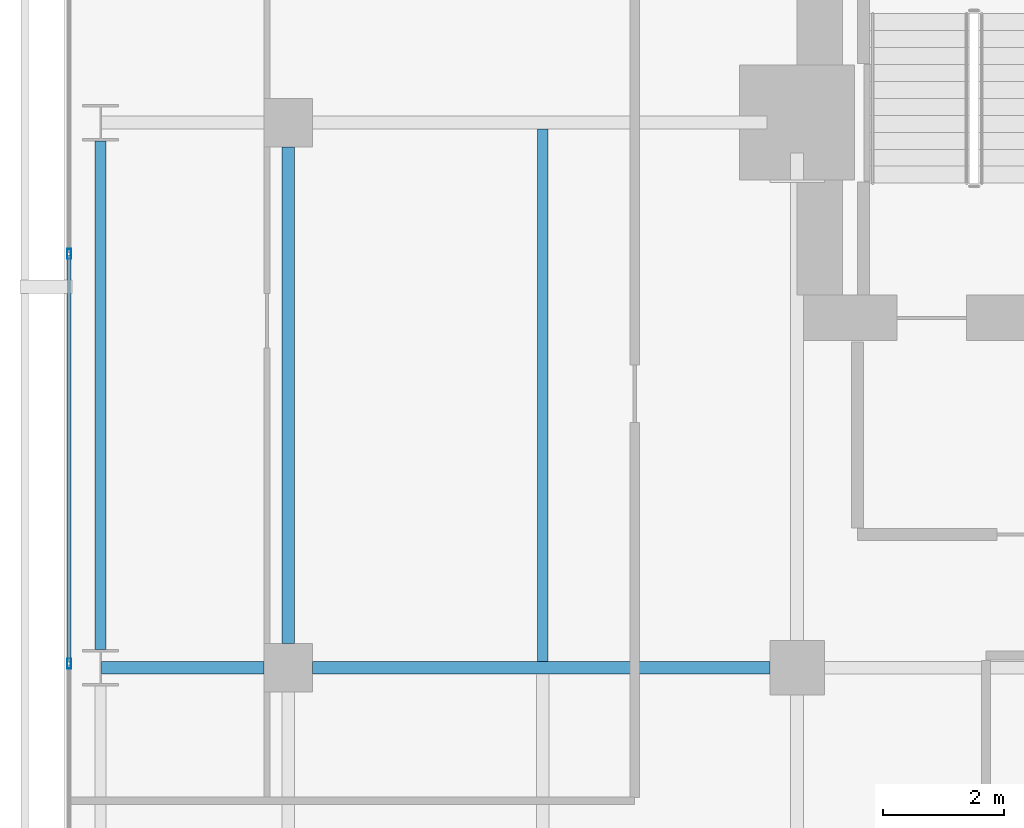
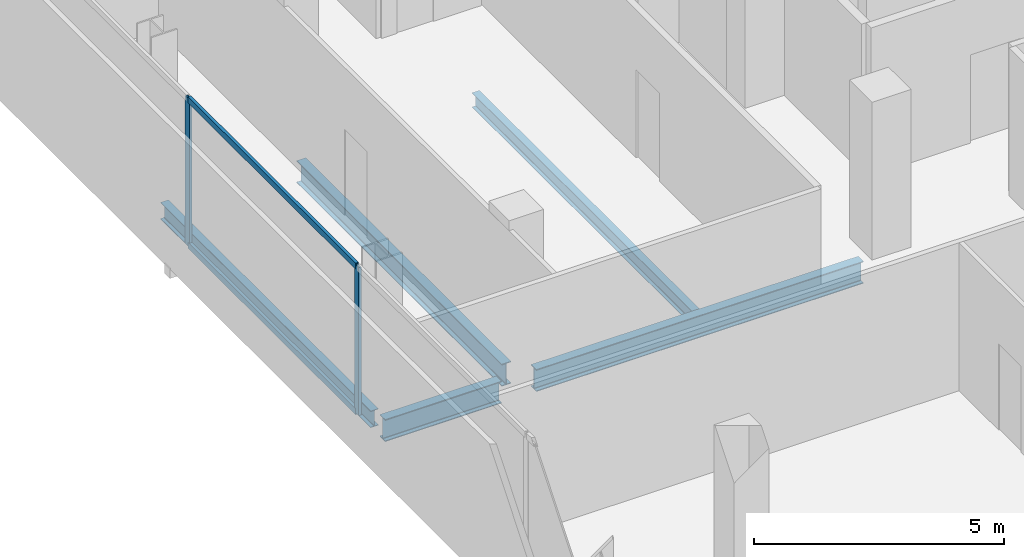
# One storey, part 18 of 33: 5 beams, 4 members, 1 element without a shape of its own.
"""IFC4 building model written with IfcOpenShell, lengths in metres."""

from ifc_helpers import new_model, si_unit, direction, frame, origin, origin_2d, place, context, subcontext, project, spatial, hollow_rectangle, i_section, extrude, material, layer, layer_set, material_profile, profile_set, type_object, element, aggregate, save


model = new_model("IFC4")

# Units and contexts
model_context = context("Model", 3, precision=1e-05, world=origin(), true_north=direction((0.0, 1.0)))
body_context = subcontext(model_context, "Body", "Model", "MODEL_VIEW")
ifc_project = project(units=[si_unit("LENGTHUNIT", "METRE"), si_unit("AREAUNIT", "SQUARE_METRE"), si_unit("VOLUMEUNIT", "CUBIC_METRE"), si_unit("PLANEANGLEUNIT", "RADIAN"), si_unit("MASSUNIT", "GRAM", prefix="KILO")], contexts=[model_context])

# Site, building, storey
site_placement = place(None, origin())
site = spatial("IfcSite", under=ifc_project, at=site_placement, CompositionType="ELEMENT")
building_placement = place(site_placement, origin())
building = spatial("IfcBuilding", under=site, at=building_placement, Name="Maruvema Waterfront Hotel and Observation Tower", CompositionType="ELEMENT")
storey_placement = place(building_placement, frame((0.0, 0.0, 196.699951171875)))
storey = spatial("IfcBuildingStorey", under=building, at=storey_placement, Name="L48", CompositionType="ELEMENT", Elevation=196.699951171875)

# Curtain wall, members
ifc_material_1 = material(Name="Anodised bronze aluminium and solar-control low-E IGU", Category="aluminium")
ifc_layer = layer(ifc_material_1, 0.159912109375, Name="Zone 2 Amber Inner Thermal Curtain Wall System CW-03")
ifc_layer_set = layer_set([ifc_layer], Name="Anodised bronze aluminium and solar-control low-E IGU")
curtain_wall_type = type_object("IfcCurtainWallType", Name="Zone 2 Amber Inner Thermal Curtain Wall System CW-03", PredefinedType="USERDEFINED", material=ifc_layer_set)
curtain_wall_placement = place(storey_placement, origin())
curtain_wall = element("IfcCurtainWall", 1, at=curtain_wall_placement, inside=storey, type_object=curtain_wall_type, Name="L48 Curtain Wall CW-L48-W", ObjectType="UNITISED CURTAIN WALL", PredefinedType="USERDEFINED")
ifc_material_2 = material(Name="Anodised architectural bronze aluminium", Category="aluminium")
ifc_material_profile_1 = material_profile(ifc_material_2, hollow_rectangle(XDim=0.070068359375, YDim=0.14990234375, WallThickness=0.00390625, at=origin_2d()), Name="ALU-T70x150")
ifc_profile_set_1 = profile_set([ifc_material_profile_1], Name="Anodised architectural bronze aluminium")
member_type_1 = type_object("IfcMemberType", Name="Curtain Wall Horizontal Transom ALU-T70x150", PredefinedType="USERDEFINED", material=ifc_profile_set_1)
member_1_placement = place(storey_placement, frame((13.179931640625, 42.80322265625, 0.030029296875), z_axis=(0.0, -1.0, 0.0), x_axis=(1.0, 0.0, 0.0)))
member_1 = element("IfcMember", 2, at=member_1_placement, type_object=member_type_1, Name="CW-03 transom 2.1", ObjectType="TRANSOM", PredefinedType="USERDEFINED", context=body_context, shape_type="SweptSolid", body=[
    extrude(hollow_rectangle(XDim=0.070068359375, YDim=0.14990234375, WallThickness=0.00390625, at=origin_2d()), origin(), (0.0, 0.0, 1.0), 6.70654296875),
])
member_2_placement = place(storey_placement, frame((13.179931640625, 42.80322265625, 3.580078125), z_axis=(0.0, -1.0, 0.0), x_axis=(1.0, 0.0, 0.0)))
member_2 = element("IfcMember", 3, at=member_2_placement, type_object=member_type_1, Name="CW-03 transom 2.2", ObjectType="TRANSOM", PredefinedType="USERDEFINED", context=body_context, shape_type="SweptSolid", body=[
    extrude(hollow_rectangle(XDim=0.070068359375, YDim=0.14990234375, WallThickness=0.00390625, at=origin_2d()), origin(), (0.0, 0.0, 1.0), 6.70654296875),
])
ifc_material_3 = material(Name="Anodised architectural bronze aluminium", Category="aluminium")
ifc_material_profile_2 = material_profile(ifc_material_3, hollow_rectangle(XDim=0.06494140625, YDim=0.1650390625, WallThickness=0.00390625, at=origin_2d()), Name="ALU-M65x165")
ifc_profile_set_2 = profile_set([ifc_material_profile_2], Name="Anodised architectural bronze aluminium")
member_type_2 = type_object("IfcMemberType", Name="Curtain Wall Primary Mullion ALU-M65x165", PredefinedType="MULLION", material=ifc_profile_set_2)
member_3_placement = place(storey_placement, frame((13.179931640625, 42.833251953125, 0.0), z_axis=(0.0, 0.0, 1.0), x_axis=(1.0, 0.0, 0.0)))
member_3 = element("IfcMember", 4, at=member_3_placement, type_object=member_type_2, Name="CW-03 mullion 2", PredefinedType="MULLION", context=body_context, shape_type="SweptSolid", body=[
    extrude(hollow_rectangle(XDim=0.06494140625, YDim=0.1650390625, WallThickness=0.00390625, at=origin_2d()), origin(), (0.0, 0.0, 1.0), 3.610107421875),
])
member_4_placement = place(storey_placement, frame((13.179931640625, 36.066650390625, 0.0), z_axis=(0.0, 0.0, 1.0), x_axis=(1.0, 0.0, 0.0)))
member_4 = element("IfcMember", 5, at=member_4_placement, type_object=member_type_2, Name="CW-03 mullion 3", PredefinedType="MULLION", context=body_context, shape_type="SweptSolid", body=[
    extrude(hollow_rectangle(XDim=0.06494140625, YDim=0.1650390625, WallThickness=0.00390625, at=origin_2d()), origin(), (0.0, 0.0, 1.0), 3.610107421875),
])
aggregate(curtain_wall, [member_3, member_4, member_1, member_2])

# Beams
ifc_material_4 = material(Name="Steel ASTM A572 Grade 50", Category="steel")
ifc_material_profile_3 = material_profile(ifc_material_4, i_section(OverallWidth=0.178955078125, OverallDepth=0.409912109375, WebThickness=0.0087890625, FlangeThickness=0.014404296875, FilletRadius=0.014892578125, at=origin_2d()), Name="W410x67.0")
ifc_profile_set_3 = profile_set([ifc_material_profile_3], Name="Steel ASTM A572 Grade 50")
beam_type_1 = type_object("IfcBeamType", Name="Perimeter Spandrel Beam W410x67.0", PredefinedType="SPANDREL", material=ifc_profile_set_3)
beam_1_placement = place(storey_placement, frame((13.699951171875, 36.300048828125, -0.445068359375), z_axis=(0.0, 1.0, 0.0), x_axis=(-1.0, 0.0, 0.0)))
element("IfcBeam", 6, at=beam_1_placement, inside=storey, type_object=beam_type_1, Name="L48 Floor Girder NS-04", PredefinedType="SPANDREL", context=body_context, shape_type="SweptSolid", body=[
    extrude(i_section(OverallWidth=0.178955078125, OverallDepth=0.409912109375, WebThickness=0.0087890625, FlangeThickness=0.014404296875, FilletRadius=0.014892578125, at=origin_2d()), origin(), (0.0, 0.0, 1.0), 8.39990234375),
])
ifc_material_5 = material(Name="Steel ASTM A572 Grade 50", Category="steel")
ifc_material_profile_4 = material_profile(ifc_material_5, i_section(OverallWidth=0.2109375, OverallDepth=0.5390625, WebThickness=0.01171875, FlangeThickness=0.018798828125, FilletRadius=0.014892578125, at=origin_2d()), Name="W530x109.0")
ifc_profile_set_4 = profile_set([ifc_material_profile_4], Name="Steel ASTM A572 Grade 50")
beam_type_2 = type_object("IfcBeamType", Name="Primary Floor Girder W530x109.0", PredefinedType="BEAM", material=ifc_profile_set_4)
beam_2_placement = place(storey_placement, frame((13.71240234375, 36.0, -0.509521484375), z_axis=(1.0, 0.0, 0.0), x_axis=(0.0, 1.0, 0.0)))
element("IfcBeam", 7, at=beam_2_placement, inside=storey, type_object=beam_type_2, Name="L48 Floor Girder EW-23", PredefinedType="BEAM", context=body_context, shape_type="SweptSolid", body=[
    extrude(i_section(OverallWidth=0.2109375, OverallDepth=0.5390625, WebThickness=0.01171875, FlangeThickness=0.018798828125, FilletRadius=0.014892578125, at=origin_2d()), origin(), (0.0, 0.0, 1.0), 2.6875),
])
beam_3_placement = place(storey_placement, frame((17.199951171875, 36.0, -0.509521484375), z_axis=(1.0, 0.0, 0.0), x_axis=(0.0, 1.0, 0.0)))
element("IfcBeam", 8, at=beam_3_placement, inside=storey, type_object=beam_type_2, Name="L48 Floor Girder EW-24", PredefinedType="BEAM", context=body_context, shape_type="SweptSolid", body=[
    extrude(i_section(OverallWidth=0.2109375, OverallDepth=0.5390625, WebThickness=0.01171875, FlangeThickness=0.018798828125, FilletRadius=0.014892578125, at=origin_2d()), origin(), (0.0, 0.0, 1.0), 7.550048828125),
])
beam_4_placement = place(storey_placement, frame((16.800048828125, 36.39990234375, -0.509521484375), z_axis=(0.0, 1.0, 0.0), x_axis=(-1.0, 0.0, 0.0)))
element("IfcBeam", 9, at=beam_4_placement, inside=storey, type_object=beam_type_2, Name="L48 Floor Girder NS-08", PredefinedType="BEAM", context=body_context, shape_type="SweptSolid", body=[
    extrude(i_section(OverallWidth=0.2109375, OverallDepth=0.5390625, WebThickness=0.01171875, FlangeThickness=0.018798828125, FilletRadius=0.014892578125, at=origin_2d()), origin(), (0.0, 0.0, 1.0), 8.2001953125),
])
ifc_material_6 = material(Name="Steel ASTM A572 Grade 50", Category="steel")
ifc_material_profile_5 = material_profile(ifc_material_6, i_section(OverallWidth=0.1708984375, OverallDepth=0.35498046875, WebThickness=0.007080078125, FlangeThickness=0.01171875, FilletRadius=0.014892578125, at=origin_2d()), Name="W360x51.0")
ifc_profile_set_5 = profile_set([ifc_material_profile_5], Name="Steel ASTM A572 Grade 50")
beam_type_3 = type_object("IfcBeamType", Name="Secondary Floor Joist W360x51.0", PredefinedType="JOIST", material=ifc_profile_set_5)
beam_5_placement = place(storey_placement, frame((21.0, 36.10546875, -0.41748046875), z_axis=(0.0, 1.0, 0.0), x_axis=(-1.0, 0.0, 0.0)))
element("IfcBeam", 10, at=beam_5_placement, inside=storey, type_object=beam_type_3, Name="L48 Secondary Floor Joist JS-04", PredefinedType="JOIST", context=body_context, shape_type="SweptSolid", body=[
    extrude(i_section(OverallWidth=0.1708984375, OverallDepth=0.35498046875, WebThickness=0.007080078125, FlangeThickness=0.01171875, FilletRadius=0.014892578125, at=origin_2d()), origin(), (0.0, 0.0, 1.0), 8.7890625),
])

save(model, "model.ifc")
